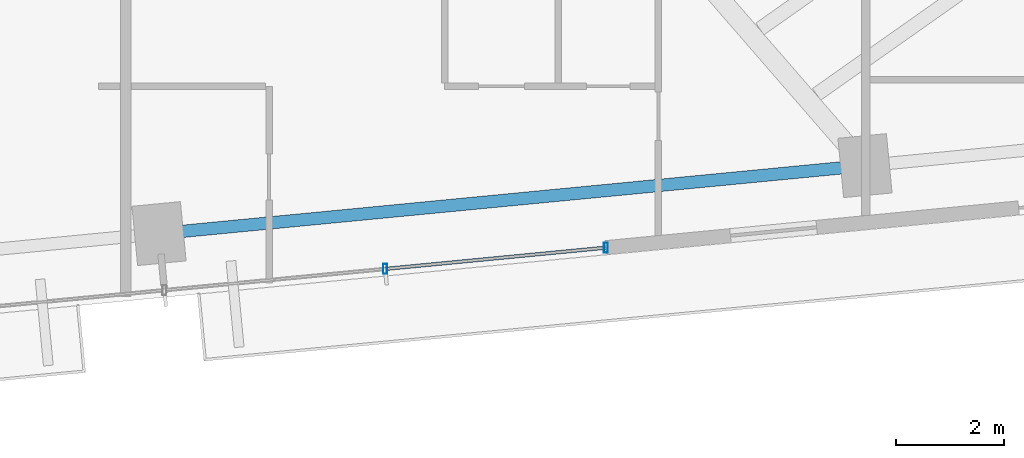
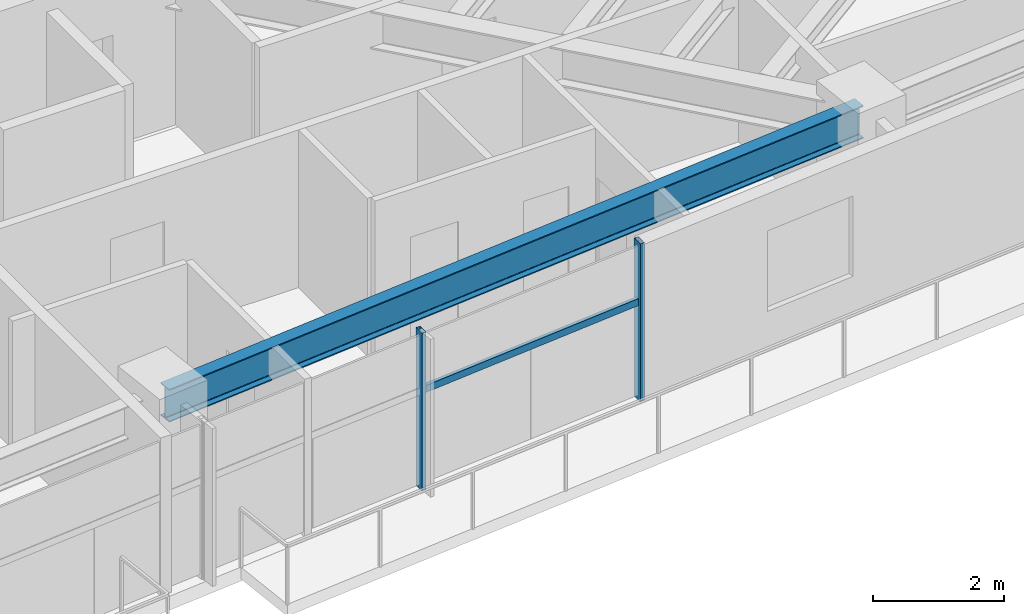
# One storey, part 12 of 27: 3 members, 1 beam, 1 element without a shape of its own.
"""IFC4 building model written with IfcOpenShell, lengths in metres."""

from ifc_helpers import new_model, si_unit, direction, frame, origin, origin_2d, place, context, subcontext, project, spatial, hollow_rectangle, i_section, extrude, source, transform, mapped, material, material_profile, profile_set, type_object, type_shapes, element, aggregate, save


model = new_model("IFC4")

# Units and contexts
model_context = context("Model", 3, precision=1e-05, world=origin(), true_north=direction((0.0, 1.0)))
body_context = subcontext(model_context, "Body", "Model", "MODEL_VIEW")
ifc_project = project(units=[si_unit("LENGTHUNIT", "METRE"), si_unit("AREAUNIT", "SQUARE_METRE"), si_unit("VOLUMEUNIT", "CUBIC_METRE"), si_unit("PLANEANGLEUNIT", "RADIAN"), si_unit("MASSUNIT", "GRAM", prefix="KILO")], contexts=[model_context])

# Site, building, storey
site_placement = place(None, origin())
site = spatial("IfcSite", under=ifc_project, at=site_placement, CompositionType="ELEMENT")
building_placement = place(site_placement, origin())
building = spatial("IfcBuilding", under=site, at=building_placement, Name="Astriad Promenade Condominiums", CompositionType="ELEMENT")
storey_placement = place(building_placement, frame((0.0, 0.0, 87.39990234375)))
storey = spatial("IfcBuildingStorey", under=building, at=storey_placement, Name="L24", CompositionType="ELEMENT", Elevation=87.39990234375)

# Beam
ifc_material_1 = material(Name="Steel ASTM A992 Grade 50", Category="steel")
ifc_material_profile_1 = material_profile(ifc_material_1, i_section(OverallWidth=0.22900390625, OverallDepth=0.612060546875, WebThickness=0.011962890625, FlangeThickness=0.01953125, FilletRadius=0.017822265625, at=origin_2d()), Name="W24X84")
ifc_profile_set_1 = profile_set([ifc_material_profile_1], Name="Steel ASTM A992 Grade 50")
beam_type = type_object("IfcBeamType", Name="STEEL SPANDREL BEAM W24X84", PredefinedType="SPANDREL", material=ifc_profile_set_1)
shared_shape_1 = source(origin(), body_context, "Body", "SweptSolid", [
    extrude(i_section(OverallWidth=0.22900390625, OverallDepth=0.612060546875, WebThickness=0.011962890625, FlangeThickness=0.01953125, FilletRadius=0.017822265625, at=origin_2d()), origin(), (0.0, 0.0, 1.0), 13.02001953125),
])
type_shapes(beam_type, [shared_shape_1])
beam_placement = place(storey_placement, frame((40.085205078125, 7.5244140625, 2.634033203125), z_axis=(0.995395138946, 0.095856754395, 0.0), x_axis=(-0.095856754395, 0.995395138946, 0.0)))
element("IfcBeam", 1, at=beam_placement, inside=storey, type_object=beam_type, Name="Perimeter Spandrel Beam SP-S3-L24", PredefinedType="SPANDREL", context=body_context, shape_type="MappedRepresentation", body=[
    mapped(shared_shape_1, transform((0.0, 0.0, 0.0), scale=1.0)),
])

# Curtain wall, members
ifc_material_2 = material(Name="Anodised aluminium Black Dark Glass Unitised", Category="aluminium")
curtain_wall_type = type_object("IfcCurtainWallType", Name="CW-B2-DARK", PredefinedType="USERDEFINED", material=ifc_material_2)
curtain_wall_placement = place(storey_placement, origin())
curtain_wall = element("IfcCurtainWall", 2, at=curtain_wall_placement, inside=storey, type_object=curtain_wall_type, Name="CW-L24-S", ObjectType="UNITISED_CURTAIN_WALL", PredefinedType="USERDEFINED")
ifc_material_3 = material(Name="Anodised aluminium 6063-T6 Black", Category="aluminium")
ifc_material_profile_2 = material_profile(ifc_material_3, hollow_rectangle(XDim=0.074951171875, YDim=0.18505859375, WallThickness=0.00439453125, at=origin_2d()), Name="ALU-MUL-75X185")
ifc_profile_set_2 = profile_set([ifc_material_profile_2], Name="Anodised aluminium 6063-T6 Black")
member_type_1 = type_object("IfcMemberType", Name="MUL-ALU-MUL-75X185", PredefinedType="MULLION", material=ifc_profile_set_2)
shared_shape_2 = source(origin(), body_context, "Body", "SweptSolid", [
    extrude(hollow_rectangle(XDim=0.074951171875, YDim=0.18505859375, WallThickness=0.00439453125, at=origin_2d()), origin(), (0.0, 0.0, 1.0), 2.940185546875),
])
type_shapes(member_type_1, [shared_shape_2])
member_1_placement = place(storey_placement, frame((48.29833984375, 7.260498046875, 0.0), z_axis=(0.0, 0.0, 1.0), x_axis=(1.0, 0.0, 0.0)))
member_1 = element("IfcMember", 3, at=member_1_placement, type_object=member_type_1, Name="CW-L24-S-MUL-00", PredefinedType="MULLION", context=body_context, shape_type="MappedRepresentation", body=[
    mapped(shared_shape_2, transform((0.0, 0.0, 0.0), scale=1.0)),
])
member_2_placement = place(storey_placement, frame((44.22216796875, 6.867919921875, 0.0), z_axis=(0.0, 0.0, 1.0), x_axis=(1.0, 0.0, 0.0)))
member_2 = element("IfcMember", 4, at=member_2_placement, type_object=member_type_1, Name="CW-L24-S-MUL-01", PredefinedType="MULLION", context=body_context, shape_type="MappedRepresentation", body=[
    mapped(shared_shape_2, transform((0.0, 0.0, 0.0), scale=1.0)),
])
ifc_material_profile_3 = material_profile(ifc_material_3, hollow_rectangle(XDim=0.06494140625, YDim=0.1298828125, WallThickness=0.00390625, at=origin_2d()), Name="ALU-TRN-65X130")
ifc_profile_set_3 = profile_set([ifc_material_profile_3], Name="Anodised aluminium 6063-T6 Black")
member_type_2 = type_object("IfcMemberType", Name="TRN-ALU-TRN-65X130", PredefinedType="USERDEFINED", material=ifc_profile_set_3)
shared_shape_3 = source(origin(), body_context, "Body", "SweptSolid", [
    extrude(hollow_rectangle(XDim=0.06494140625, YDim=0.1298828125, WallThickness=0.00390625, at=origin_2d()), origin(), (0.0, 0.0, 1.0), 4.094970703125),
])
type_shapes(member_type_2, [shared_shape_3])
member_3_placement = place(storey_placement, frame((48.29833984375, 7.260498046875, 1.822998046875), z_axis=(-0.995394161585, -0.09586690296, 0.0), x_axis=(0.09586690296, -0.995394161585, 0.0)))
member_3 = element("IfcMember", 5, at=member_3_placement, type_object=member_type_2, Name="CW-L24-S-TRN-00-0", ObjectType="TRANSOM", PredefinedType="USERDEFINED", context=body_context, shape_type="MappedRepresentation", body=[
    mapped(shared_shape_3, transform((0.0, 0.0, 0.0), scale=1.0)),
])
aggregate(curtain_wall, [member_1, member_2, member_3])

save(model, "model.ifc")
